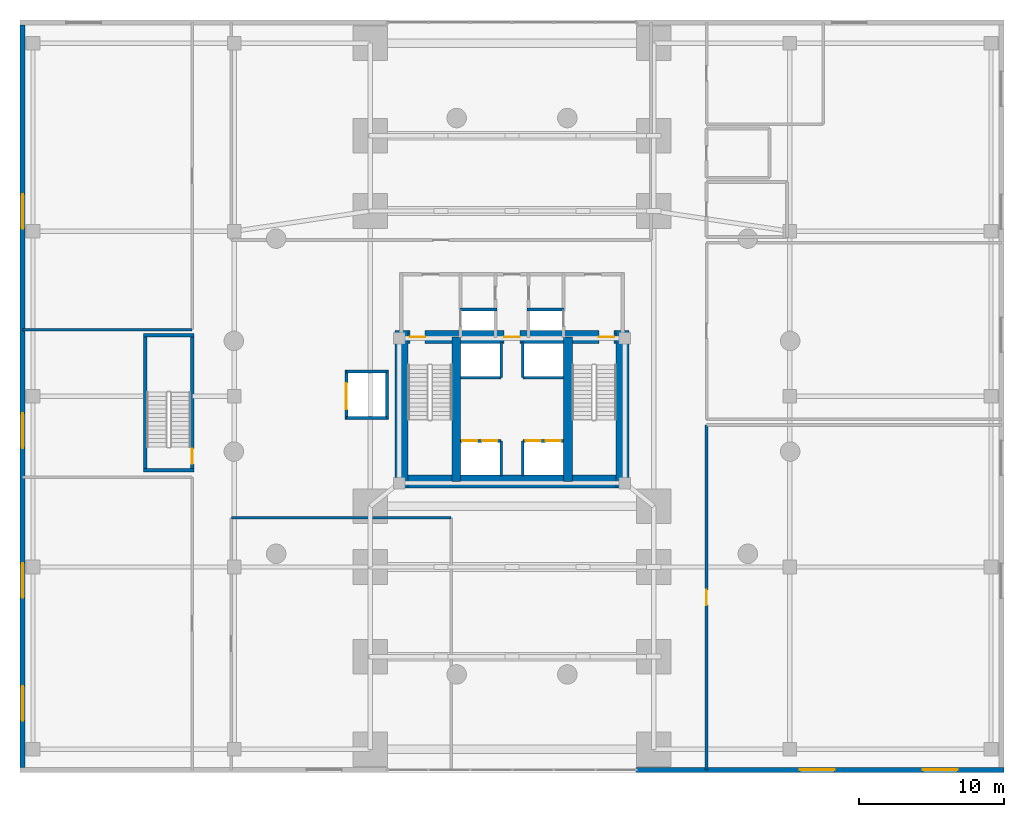
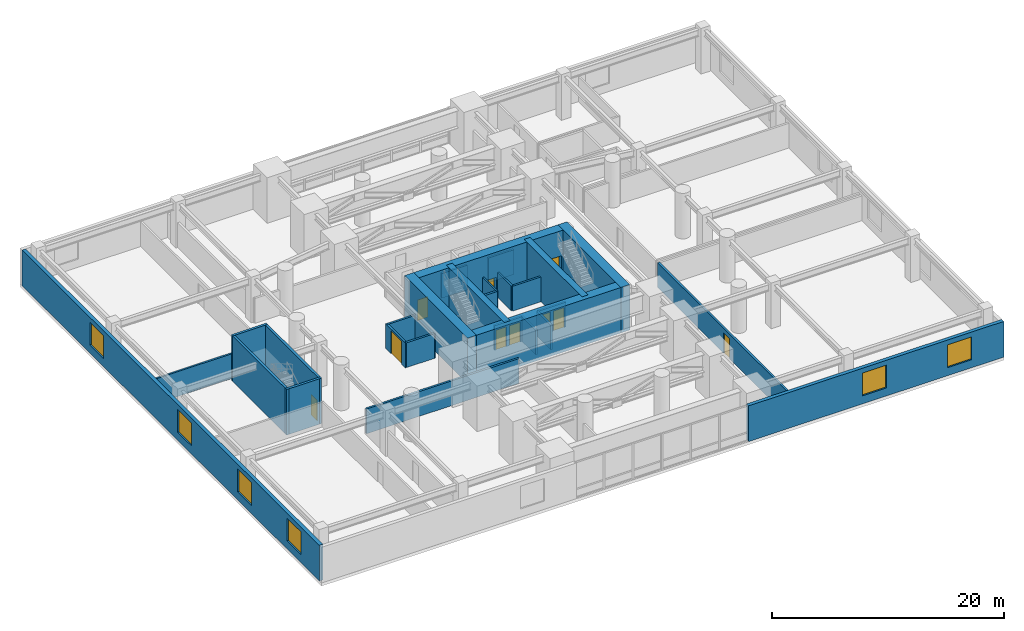
# One storey, part 14 of 17: 29 walls, 10 doors, 6 windows, 16 openings.
"""IFC4 building model written with IfcOpenShell, lengths in metres."""

from ifc_helpers import new_model, si_unit, direction, frame, frame_2d, origin, place, context, subcontext, project, spatial, rectangle, extrude, material, layer, layer_set, type_object, element, fill, save


model = new_model("IFC4")

# Units and contexts
model_context = context("Model", 3, precision=1e-05, world=origin(), true_north=direction((0.0, 1.0)))
body_context = subcontext(model_context, "Body", "Model", "MODEL_VIEW")
ifc_project = project(units=[si_unit("LENGTHUNIT", "METRE"), si_unit("AREAUNIT", "SQUARE_METRE"), si_unit("VOLUMEUNIT", "CUBIC_METRE"), si_unit("PLANEANGLEUNIT", "RADIAN"), si_unit("MASSUNIT", "GRAM", prefix="KILO"), si_unit("THERMODYNAMICTEMPERATUREUNIT", "KELVIN"), si_unit("POWERUNIT", "WATT")], contexts=[model_context])

# Site, building, storey
site_placement = place(None, origin())
site = spatial("IfcSite", under=ifc_project, at=site_placement, CompositionType="ELEMENT")
building_placement = place(site_placement, origin())
building = spatial("IfcBuilding", under=site, at=building_placement, Name="Ocrelia Relay Tower", CompositionType="ELEMENT")
storey_placement = place(building_placement, frame((0.0, 0.0, 15.60009765625)))
storey = spatial("IfcBuildingStorey", under=building, at=storey_placement, Name="L03", CompositionType="ELEMENT", Elevation=15.60009765625)

# Wall
ifc_material_1 = material(Name="Concrete C70/85", Category="concrete")
ifc_layer_1 = layer(ifc_material_1, 0.89990234375, Name="Concrete C70/85")
ifc_layer_set_1 = layer_set([ifc_layer_1], Name="Concrete C70/85")
wall_type_1 = type_object("IfcWallType", Name="CW-CORE-900", PredefinedType="SHEAR", material=ifc_layer_set_1)
wall_1_placement = place(storey_placement, frame((25.922119140625, 20.112060546875, 0.0), z_axis=(0.0, 0.0, 1.0), x_axis=(1.0, 0.0, 0.0)))
element("IfcWall", 1, at=wall_1_placement, inside=storey, type_object=wall_type_1, Name="L03 Core Shear Wall S", PredefinedType="SHEAR", context=body_context, shape_type="SweptSolid", body=[
    extrude(rectangle(XDim=16.165771484375, YDim=0.89990234375, at=frame_2d((8.0830078125, 0.0))), origin(), (0.0, 0.0, 1.0), 4.7998046875),
])

# Wall, openings, doors
wall_2_placement = place(storey_placement, frame((25.922119140625, 30.087890625, 0.0), z_axis=(0.0, 0.0, 1.0), x_axis=(1.0, 0.0, 0.0)))
wall_2 = element("IfcWall", 2, at=wall_2_placement, inside=storey, type_object=wall_type_1, Name="L03 Core Shear Wall N", PredefinedType="SHEAR", context=body_context, shape_type="SweptSolid", body=[
    extrude(rectangle(XDim=16.165771484375, YDim=0.89990234375, at=frame_2d((8.0830078125, 0.0))), origin(), (0.0, 0.0, 1.0), 4.7998046875),
])
opening_1_placement = place(wall_2_placement, frame((1.028076171875, 0.0, 0.0)))
opening_1 = element("IfcOpeningElement", 3, at=opening_1_placement, cuts=wall_2, Name="Opening D-FD90", PredefinedType="OPENING", context=body_context, shape_type="SweptSolid", body=[
    extrude(rectangle(XDim=1.050048828125, YDim=2.14990234375, at=frame_2d((0.52490234375, 1.074951171875))), frame((0.0, 0.4599609375, 0.0), z_axis=(0.0, -1.0, 0.0), x_axis=(1.0, 0.0, 0.0)), (0.0, 0.0, 1.0), 0.919921875),
])
opening_2_placement = place(wall_2_placement, frame((14.077880859375, 0.0, 0.0)))
opening_2 = element("IfcOpeningElement", 4, at=opening_2_placement, cuts=wall_2, Name="Opening D-FD90", PredefinedType="OPENING", context=body_context, shape_type="SweptSolid", body=[
    extrude(rectangle(XDim=1.050048828125, YDim=2.14990234375, at=frame_2d((0.52490234375, 1.074951171875))), frame((0.0, 0.4599609375, 0.0), z_axis=(0.0, -1.0, 0.0), x_axis=(1.0, 0.0, 0.0)), (0.0, 0.0, 1.0), 0.919921875),
])
opening_3_placement = place(wall_2_placement, frame((7.528076171875, 0.0, 0.0)))
opening_3 = element("IfcOpeningElement", 5, at=opening_3_placement, cuts=wall_2, Name="Opening D-FD60", PredefinedType="OPENING", context=body_context, shape_type="SweptSolid", body=[
    extrude(rectangle(XDim=1.10009765625, YDim=2.14990234375, at=frame_2d((0.550048828125, 1.074951171875))), frame((0.0, 0.4599609375, 0.0), z_axis=(0.0, -1.0, 0.0), x_axis=(1.0, 0.0, 0.0)), (0.0, 0.0, 1.0), 0.919921875),
])
ifc_material_2 = material(Name="Timber-core 60-min acoustic fire door", Category="wood")
door_type_1 = type_object("IfcDoorType", Name="DR-LOBBY-FD60-1100", OperationType="NOTDEFINED", PredefinedType="DOOR", material=ifc_material_2)
door_1_placement = place(opening_3_placement, origin())
door_1 = element("IfcDoor", 6, at=door_1_placement, inside=storey, type_object=door_type_1, Name="L03 Core Lift Lobby North Fire Door", OperationType="SINGLE_SWING_RIGHT", OverallHeight=2.14990234375, OverallWidth=1.10009765625, PredefinedType="DOOR", context=body_context, shape_type="SweptSolid", body=[
    extrude(rectangle(XDim=1.10009765625, YDim=2.14990234375, at=frame_2d((0.550048828125, 1.074951171875))), frame((0.0, 0.02490234375, 0.0), z_axis=(0.0, -1.0, 0.0), x_axis=(1.0, 0.0, 0.0)), (0.0, 0.0, 1.0), 0.050048828125),
])
fill(opening_3, door_1)
ifc_material_3 = material(Name="Steel S355 90-min fire door", Category="steel")
door_type_2 = type_object("IfcDoorType", Name="DR-STAIR-FD90-1050", OperationType="NOTDEFINED", PredefinedType="DOOR", material=ifc_material_3)
door_2_placement = place(opening_1_placement, origin())
door_2 = element("IfcDoor", 7, at=door_2_placement, inside=storey, type_object=door_type_2, Name="L03 Stair ST1 Fire Door", OperationType="SINGLE_SWING_RIGHT", OverallHeight=2.14990234375, OverallWidth=1.050048828125, PredefinedType="DOOR", context=body_context, shape_type="SweptSolid", body=[
    extrude(rectangle(XDim=1.050048828125, YDim=2.14990234375, at=frame_2d((0.52490234375, 1.074951171875))), frame((0.0, 0.02490234375, 0.0), z_axis=(0.0, -1.0, 0.0), x_axis=(1.0, 0.0, 0.0)), (0.0, 0.0, 1.0), 0.050048828125),
])
fill(opening_1, door_2)
door_3_placement = place(opening_2_placement, origin())
door_3 = element("IfcDoor", 8, at=door_3_placement, inside=storey, type_object=door_type_2, Name="L03 Stair ST2 Fire Door", OperationType="SINGLE_SWING_LEFT", OverallHeight=2.14990234375, OverallWidth=1.050048828125, PredefinedType="DOOR", context=body_context, shape_type="SweptSolid", body=[
    extrude(rectangle(XDim=1.050048828125, YDim=2.14990234375, at=frame_2d((0.52490234375, 1.074951171875))), frame((0.0, 0.02490234375, 0.0), z_axis=(0.0, -1.0, 0.0), x_axis=(1.0, 0.0, 0.0)), (0.0, 0.0, 1.0), 0.050048828125),
])
fill(opening_2, door_3)

# Walls
for number, where, z_axis, x_axis, name in (
    (9, (26.3720703125, 19.662109375, 0.0), (0.0, 0.0, 1.0), (0.0, 1.0, 0.0), "L03 Core Shear Wall W"),
    (10, (41.637939453125, 19.662109375, 0.0), (0.0, 0.0, 1.0), (0.0, 1.0, 0.0), "L03 Core Shear Wall E"),
):
    element("IfcWall", number, at=place(storey_placement, frame(where, z_axis=z_axis, x_axis=x_axis)), inside=storey, type_object=wall_type_1, Name=name, PredefinedType="SHEAR", context=body_context, shape_type="SweptSolid", body=[
        extrude(rectangle(XDim=10.8759765625, YDim=0.89990234375, at=frame_2d((5.43798828125, 0.0))), origin(), (0.0, 0.0, 1.0), 4.7998046875),
    ])
for number, where, z_axis, x_axis, name in (
    (11, (30.137939453125, 20.112060546875, 0.0), (0.0, 0.0, 1.0), (0.0, 1.0, 0.0), "L03 Core Shear Wall SPW"),
    (12, (37.8720703125, 20.112060546875, 0.0), (0.0, 0.0, 1.0), (0.0, 1.0, 0.0), "L03 Core Shear Wall SPE"),
):
    element("IfcWall", number, at=place(storey_placement, frame(where, z_axis=z_axis, x_axis=x_axis)), inside=storey, type_object=wall_type_1, Name=name, PredefinedType="SHEAR", context=body_context, shape_type="SweptSolid", body=[
        extrude(rectangle(XDim=9.975830078125, YDim=0.60009765625, at=frame_2d((4.98779296875, 0.0))), origin(), (0.0, 0.0, 1.0), 4.7998046875),
    ])
ifc_material_4 = material(Name="Concrete C50/60", Category="concrete")
ifc_layer_2 = layer(ifc_material_4, 0.239990234375, Name="Concrete C50/60")
ifc_layer_set_2 = layer_set([ifc_layer_2], Name="Concrete C50/60")
wall_type_2 = type_object("IfcWallType", Name="CW-STAIR-240", PredefinedType="SHEAR", material=ifc_layer_set_2)
for number, where, z_axis, x_axis, name in (
    (13, (8.531982421875, 20.89208984375, 0.0), (0.0, 0.0, 1.0), (1.0, 0.0, 0.0), "L03 Stair ST3 Structural Shaft S Wall"),
    (14, (8.531982421875, 30.2080078125, 0.0), (0.0, 0.0, 1.0), (1.0, 0.0, 0.0), "L03 Stair ST3 Structural Shaft N Wall"),
):
    element("IfcWall", number, at=place(storey_placement, frame(where, z_axis=z_axis, x_axis=x_axis)), inside=storey, type_object=wall_type_2, Name=name, PredefinedType="SHEAR", context=body_context, shape_type="SweptSolid", body=[
        extrude(rectangle(XDim=3.49609375, YDim=0.239990234375, at=frame_2d((1.748046875, 0.0))), origin(), (0.0, 0.0, 1.0), 4.7998046875),
    ])
wall_3_placement = place(storey_placement, frame((8.652099609375, 20.77197265625, 0.0), z_axis=(0.0, 0.0, 1.0), x_axis=(0.0, 1.0, 0.0)))
element("IfcWall", 15, at=wall_3_placement, inside=storey, type_object=wall_type_2, Name="L03 Stair ST3 Structural Shaft W Wall", PredefinedType="SHEAR", context=body_context, shape_type="SweptSolid", body=[
    extrude(rectangle(XDim=9.555908203125, YDim=0.239990234375, at=frame_2d((4.77783203125, 0.0))), origin(), (0.0, 0.0, 1.0), 4.7998046875),
])

# Wall, opening, door
wall_4_placement = place(storey_placement, frame((11.907958984375, 20.77197265625, 0.0), z_axis=(0.0, 0.0, 1.0), x_axis=(0.0, 1.0, 0.0)))
wall_4 = element("IfcWall", 16, at=wall_4_placement, inside=storey, type_object=wall_type_2, Name="L03 Stair ST3 Structural Shaft E Wall", PredefinedType="SHEAR", context=body_context, shape_type="SweptSolid", body=[
    extrude(rectangle(XDim=9.555908203125, YDim=0.239990234375, at=frame_2d((4.77783203125, 0.0))), origin(), (0.0, 0.0, 1.0), 4.7998046875),
])
opening_4_placement = place(wall_4_placement, frame((0.550048828125, 0.0, 0.0)))
opening_4 = element("IfcOpeningElement", 17, at=opening_4_placement, cuts=wall_4, Name="Opening D-FD90", PredefinedType="OPENING", context=body_context, shape_type="SweptSolid", body=[
    extrude(rectangle(XDim=1.050048828125, YDim=2.14990234375, at=frame_2d((0.52490234375, 1.074951171875))), frame((0.0, 0.1298828125, 0.0), z_axis=(0.0, -1.0, 0.0), x_axis=(1.0, 0.0, 0.0)), (0.0, 0.0, 1.0), 0.260009765625),
])
door_4_placement = place(opening_4_placement, origin())
door_4 = element("IfcDoor", 18, at=door_4_placement, inside=storey, type_object=door_type_2, Name="L03 Stair ST3 Fire Door", OperationType="SINGLE_SWING_RIGHT", OverallHeight=2.14990234375, OverallWidth=1.050048828125, PredefinedType="DOOR", context=body_context, shape_type="SweptSolid", body=[
    extrude(rectangle(XDim=1.050048828125, YDim=2.14990234375, at=frame_2d((0.52490234375, 1.074951171875))), frame((0.0, 0.02490234375, 0.0), z_axis=(0.0, -1.0, 0.0), x_axis=(1.0, 0.0, 0.0)), (0.0, 0.0, 1.0), 0.050048828125),
])
fill(opening_4, door_4)

# Wall
ifc_material_5 = material(Name="Gypsum Fireboard Partition EI60", Category="gypsum")
ifc_layer_3 = layer(ifc_material_5, 0.179931640625, Name="Gypsum Fireboard Partition EI60")
ifc_layer_set_3 = layer_set([ifc_layer_3], Name="Gypsum Fireboard Partition EI60")
wall_type_3 = type_object("IfcWallType", Name="W-CORR-EI60-180", PredefinedType="PARTITIONING", material=ifc_layer_set_3)
wall_5_placement = place(storey_placement, frame((0.179931640625, 30.60009765625, 0.0), z_axis=(0.0, 0.0, 1.0), x_axis=(1.0, 0.0, 0.0)))
element("IfcWall", 19, at=wall_5_placement, inside=storey, type_object=wall_type_3, Name="L03 Power Systems Engineering Office S Partition", PredefinedType="PARTITIONING", context=body_context, shape_type="SweptSolid", body=[
    extrude(rectangle(XDim=11.719970703125, YDim=0.179931640625, at=frame_2d((5.85986328125, 0.0))), origin(), (0.0, 0.0, 1.0), 2.60986328125),
])

# Wall, openings, windows
ifc_material_6 = material(Name="Precast concrete C40/50 with oxide terracotta", Category="masonry")
ifc_layer_4 = layer(ifc_material_6, 0.35009765625, Name="Precast concrete C40/50 with oxide terracotta")
ifc_layer_set_4 = layer_set([ifc_layer_4], Name="Precast concrete C40/50 with oxide terracotta")
wall_type_4 = type_object("IfcWallType", Name="W-EXT-POD-350", PredefinedType="SOLIDWALL", material=ifc_layer_set_4)
wall_6_placement = place(storey_placement, frame((0.179931640625, 0.360107421875, 0.0), z_axis=(0.0, 0.0, 1.0), x_axis=(0.0, 1.0, 0.0)))
wall_6 = element("IfcWall", 20, at=wall_6_placement, inside=storey, type_object=wall_type_4, Name="L03 Oxide Terracotta Podium Wall WW", PredefinedType="SOLIDWALL", context=body_context, shape_type="SweptSolid", body=[
    extrude(rectangle(XDim=51.27978515625, YDim=0.35009765625, at=frame_2d((25.639892578125, 0.0))), origin(), (0.0, 0.0, 1.0), 3.760009765625),
])
opening_5_placement = place(wall_6_placement, frame((3.199951171875, 0.0, 0.85009765625)))
opening_5 = element("IfcOpeningElement", 21, at=opening_5_placement, cuts=wall_6, Name="Opening W-01", PredefinedType="OPENING", context=body_context, shape_type="SweptSolid", body=[
    extrude(rectangle(XDim=2.39990234375, YDim=2.39990234375, at=frame_2d((1.199951171875, 1.199951171875))), frame((0.0, 0.18505859375, 0.0), z_axis=(0.0, -1.0, 0.0), x_axis=(1.0, 0.0, 0.0)), (0.0, 0.0, 1.0), 0.3701171875),
])
opening_6_placement = place(wall_6_placement, frame((11.699951171875, 0.0, 0.85009765625)))
opening_6 = element("IfcOpeningElement", 22, at=opening_6_placement, cuts=wall_6, Name="Opening W-01", PredefinedType="OPENING", context=body_context, shape_type="SweptSolid", body=[
    extrude(rectangle(XDim=2.39990234375, YDim=2.39990234375, at=frame_2d((1.199951171875, 1.199951171875))), frame((0.0, 0.18505859375, 0.0), z_axis=(0.0, -1.0, 0.0), x_axis=(1.0, 0.0, 0.0)), (0.0, 0.0, 1.0), 0.3701171875),
])
opening_7_placement = place(wall_6_placement, frame((22.050048828125, 0.0, 0.85009765625)))
opening_7 = element("IfcOpeningElement", 23, at=opening_7_placement, cuts=wall_6, Name="Opening W-01", PredefinedType="OPENING", context=body_context, shape_type="SweptSolid", body=[
    extrude(rectangle(XDim=2.39990234375, YDim=2.39990234375, at=frame_2d((1.199951171875, 1.199951171875))), frame((0.0, 0.18505859375, 0.0), z_axis=(0.0, -1.0, 0.0), x_axis=(1.0, 0.0, 0.0)), (0.0, 0.0, 1.0), 0.3701171875),
])
opening_8_placement = place(wall_6_placement, frame((37.199951171875, 0.0, 0.85009765625)))
opening_8 = element("IfcOpeningElement", 24, at=opening_8_placement, cuts=wall_6, Name="Opening W-01", PredefinedType="OPENING", context=body_context, shape_type="SweptSolid", body=[
    extrude(rectangle(XDim=2.39990234375, YDim=2.39990234375, at=frame_2d((1.199951171875, 1.199951171875))), frame((0.0, 0.18505859375, 0.0), z_axis=(0.0, -1.0, 0.0), x_axis=(1.0, 0.0, 0.0)), (0.0, 0.0, 1.0), 0.3701171875),
])
ifc_material_7 = material(Name="Clear double-glazed low-E glass", Category="glass")
window_type = type_object("IfcWindowType", Name="WIN-POD-2400x2600", PartitioningType="SINGLE_PANEL", PredefinedType="WINDOW", material=ifc_material_7)
window_1_placement = place(opening_5_placement, origin())
window_1 = element("IfcWindow", 25, at=window_1_placement, inside=storey, type_object=window_type, Name="L03 Podium Punched Window WW-1", OverallHeight=2.39990234375, OverallWidth=2.39990234375, PartitioningType="SINGLE_PANEL", PredefinedType="WINDOW", context=body_context, shape_type="SweptSolid", body=[
    extrude(rectangle(XDim=2.39990234375, YDim=2.39990234375, at=frame_2d((1.199951171875, 1.199951171875))), frame((0.0, 0.030029296875, 0.0), z_axis=(0.0, -1.0, 0.0), x_axis=(1.0, 0.0, 0.0)), (0.0, 0.0, 1.0), 0.06005859375),
])
fill(opening_5, window_1)
window_2_placement = place(opening_6_placement, origin())
window_2 = element("IfcWindow", 26, at=window_2_placement, inside=storey, type_object=window_type, Name="L03 Podium Punched Window WW-2", OverallHeight=2.39990234375, OverallWidth=2.39990234375, PartitioningType="SINGLE_PANEL", PredefinedType="WINDOW", context=body_context, shape_type="SweptSolid", body=[
    extrude(rectangle(XDim=2.39990234375, YDim=2.39990234375, at=frame_2d((1.199951171875, 1.199951171875))), frame((0.0, 0.030029296875, 0.0), z_axis=(0.0, -1.0, 0.0), x_axis=(1.0, 0.0, 0.0)), (0.0, 0.0, 1.0), 0.06005859375),
])
fill(opening_6, window_2)
window_3_placement = place(opening_7_placement, origin())
window_3 = element("IfcWindow", 27, at=window_3_placement, inside=storey, type_object=window_type, Name="L03 Podium Punched Window WW-3", OverallHeight=2.39990234375, OverallWidth=2.39990234375, PartitioningType="SINGLE_PANEL", PredefinedType="WINDOW", context=body_context, shape_type="SweptSolid", body=[
    extrude(rectangle(XDim=2.39990234375, YDim=2.39990234375, at=frame_2d((1.199951171875, 1.199951171875))), frame((0.0, 0.030029296875, 0.0), z_axis=(0.0, -1.0, 0.0), x_axis=(1.0, 0.0, 0.0)), (0.0, 0.0, 1.0), 0.06005859375),
])
fill(opening_7, window_3)
window_4_placement = place(opening_8_placement, origin())
window_4 = element("IfcWindow", 28, at=window_4_placement, inside=storey, type_object=window_type, Name="L03 Podium Punched Window WW-5", OverallHeight=2.39990234375, OverallWidth=2.39990234375, PartitioningType="SINGLE_PANEL", PredefinedType="WINDOW", context=body_context, shape_type="SweptSolid", body=[
    extrude(rectangle(XDim=2.39990234375, YDim=2.39990234375, at=frame_2d((1.199951171875, 1.199951171875))), frame((0.0, 0.030029296875, 0.0), z_axis=(0.0, -1.0, 0.0), x_axis=(1.0, 0.0, 0.0)), (0.0, 0.0, 1.0), 0.06005859375),
])
fill(opening_8, window_4)

wall_7_placement = place(storey_placement, frame((67.989990234375, 0.179931640625, 0.0), z_axis=(0.0, 0.0, 1.0), x_axis=(-1.0, 0.0, 0.0)))
wall_7 = element("IfcWall", 29, at=wall_7_placement, inside=storey, type_object=wall_type_4, Name="L03 Oxide Terracotta Podium Wall ES", PredefinedType="SOLIDWALL", context=body_context, shape_type="SweptSolid", body=[
    extrude(rectangle(XDim=25.419921875, YDim=0.35009765625, at=frame_2d((12.7099609375, 0.0))), origin(), (0.0, 0.0, 1.0), 3.760009765625),
])
opening_9_placement = place(wall_7_placement, frame((3.199951171875, 0.0, 0.85009765625)))
opening_9 = element("IfcOpeningElement", 30, at=opening_9_placement, cuts=wall_7, Name="Opening W-01", PredefinedType="OPENING", context=body_context, shape_type="SweptSolid", body=[
    extrude(rectangle(XDim=2.39990234375, YDim=2.39990234375, at=frame_2d((1.199951171875, 1.199951171875))), frame((0.0, 0.18505859375, 0.0), z_axis=(0.0, -1.0, 0.0), x_axis=(1.0, 0.0, 0.0)), (0.0, 0.0, 1.0), 0.3701171875),
])
opening_10_placement = place(wall_7_placement, frame((11.699951171875, 0.0, 0.85009765625)))
opening_10 = element("IfcOpeningElement", 31, at=opening_10_placement, cuts=wall_7, Name="Opening W-01", PredefinedType="OPENING", context=body_context, shape_type="SweptSolid", body=[
    extrude(rectangle(XDim=2.39990234375, YDim=2.39990234375, at=frame_2d((1.199951171875, 1.199951171875))), frame((0.0, 0.18505859375, 0.0), z_axis=(0.0, -1.0, 0.0), x_axis=(1.0, 0.0, 0.0)), (0.0, 0.0, 1.0), 0.3701171875),
])
window_5_placement = place(opening_9_placement, origin())
window_5 = element("IfcWindow", 32, at=window_5_placement, inside=storey, type_object=window_type, Name="L03 Podium Punched Window ES-1", OverallHeight=2.39990234375, OverallWidth=2.39990234375, PartitioningType="SINGLE_PANEL", PredefinedType="WINDOW", context=body_context, shape_type="SweptSolid", body=[
    extrude(rectangle(XDim=2.39990234375, YDim=2.39990234375, at=frame_2d((1.199951171875, 1.199951171875))), frame((0.0, 0.030029296875, 0.0), z_axis=(0.0, -1.0, 0.0), x_axis=(1.0, 0.0, 0.0)), (0.0, 0.0, 1.0), 0.06005859375),
])
fill(opening_9, window_5)
window_6_placement = place(opening_10_placement, origin())
window_6 = element("IfcWindow", 33, at=window_6_placement, inside=storey, type_object=window_type, Name="L03 Podium Punched Window ES-2", OverallHeight=2.39990234375, OverallWidth=2.39990234375, PartitioningType="SINGLE_PANEL", PredefinedType="WINDOW", context=body_context, shape_type="SweptSolid", body=[
    extrude(rectangle(XDim=2.39990234375, YDim=2.39990234375, at=frame_2d((1.199951171875, 1.199951171875))), frame((0.0, 0.030029296875, 0.0), z_axis=(0.0, -1.0, 0.0), x_axis=(1.0, 0.0, 0.0)), (0.0, 0.0, 1.0), 0.06005859375),
])
fill(opening_10, window_6)

# Walls
ifc_layer_5 = layer(ifc_material_4, 0.199951171875, Name="Concrete C50/60")
ifc_layer_set_5 = layer_set([ifc_layer_5], Name="Concrete C50/60")
wall_type_5 = type_object("IfcWallType", Name="W-SHAFT-EI120-200", PredefinedType="SOLIDWALL", material=ifc_layer_set_5)
for number, where, z_axis, x_axis, name in (
    (34, (30.39990234375, 32.0, 0.0), (0.0, 0.0, 1.0), (1.0, 0.0, 0.0), "L03 FFL1 Hoistway North Wall"),
    (35, (35.050048828125, 32.0, 0.0), (0.0, 0.0, 1.0), (1.0, 0.0, 0.0), "L03 FFL2 Hoistway North Wall"),
):
    element("IfcWall", number, at=place(storey_placement, frame(where, z_axis=z_axis, x_axis=x_axis)), inside=storey, type_object=wall_type_5, Name=name, PredefinedType="SOLIDWALL", context=body_context, shape_type="SweptSolid", body=[
        extrude(rectangle(XDim=2.550048828125, YDim=0.199951171875, at=frame_2d((1.27490234375, 0.0))), origin(), (0.0, 0.0, 1.0), 2.60986328125),
    ])

# Wall, openings, doors
wall_8_placement = place(storey_placement, frame((30.43994140625, 22.919921875, 0.0), z_axis=(0.0, 0.0, 1.0), x_axis=(1.0, 0.0, 0.0)))
wall_8 = element("IfcWall", 36, at=wall_8_placement, inside=storey, type_object=wall_type_5, Name="L03 Low-Rise Lift Hoistway Wall W", PredefinedType="SOLIDWALL", context=body_context, shape_type="SweptSolid", body=[
    extrude(rectangle(XDim=2.81005859375, YDim=0.199951171875, at=frame_2d((1.405029296875, 0.0))), origin(), (0.0, 0.0, 1.0), 2.60986328125),
])
opening_11_placement = place(wall_8_placement, frame((0.1201171875, 0.0, 0.0)))
opening_11 = element("IfcOpeningElement", 37, at=opening_11_placement, cuts=wall_8, Name="Opening LD-PL1", PredefinedType="OPENING", context=body_context, shape_type="SweptSolid", body=[
    extrude(rectangle(XDim=1.050048828125, YDim=2.10009765625, at=frame_2d((0.52490234375, 1.050048828125))), frame((0.0, 0.10986328125, 0.0), z_axis=(0.0, -1.0, 0.0), x_axis=(1.0, 0.0, 0.0)), (0.0, 0.0, 1.0), 0.219970703125),
])
opening_12_placement = place(wall_8_placement, frame((1.5, 0.0, 0.0)))
opening_12 = element("IfcOpeningElement", 38, at=opening_12_placement, cuts=wall_8, Name="Opening LD-PL2", PredefinedType="OPENING", context=body_context, shape_type="SweptSolid", body=[
    extrude(rectangle(XDim=1.050048828125, YDim=2.10009765625, at=frame_2d((0.52490234375, 1.050048828125))), frame((0.0, 0.10986328125, 0.0), z_axis=(0.0, -1.0, 0.0), x_axis=(1.0, 0.0, 0.0)), (0.0, 0.0, 1.0), 0.219970703125),
])
ifc_material_8 = material(Name="Brushed stainless steel S355 lift landing door", Category="steel")
door_type_3 = type_object("IfcDoorType", Name="DR-LIFT-LAND-1050", OperationType="DOUBLE_DOOR_SLIDING", PredefinedType="USERDEFINED", material=ifc_material_8)
door_5_placement = place(opening_11_placement, origin())
door_5 = element("IfcDoor", 39, at=door_5_placement, inside=storey, type_object=door_type_3, Name="L03 Passenger Lift PL1 Sliding Landing Door", ObjectType="LANDING DOOR", OperationType="DOUBLE_DOOR_SLIDING", OverallHeight=2.10009765625, OverallWidth=1.050048828125, PredefinedType="USERDEFINED", context=body_context, shape_type="SweptSolid", body=[
    extrude(rectangle(XDim=1.050048828125, YDim=2.10009765625, at=frame_2d((0.52490234375, 1.050048828125))), frame((0.0, 0.02490234375, 0.0), z_axis=(0.0, -1.0, 0.0), x_axis=(1.0, 0.0, 0.0)), (0.0, 0.0, 1.0), 0.050048828125),
])
fill(opening_11, door_5)
door_6_placement = place(opening_12_placement, origin())
door_6 = element("IfcDoor", 40, at=door_6_placement, inside=storey, type_object=door_type_3, Name="L03 Passenger Lift PL2 Sliding Landing Door", ObjectType="LANDING DOOR", OperationType="DOUBLE_DOOR_SLIDING", OverallHeight=2.10009765625, OverallWidth=1.050048828125, PredefinedType="USERDEFINED", context=body_context, shape_type="SweptSolid", body=[
    extrude(rectangle(XDim=1.050048828125, YDim=2.10009765625, at=frame_2d((0.52490234375, 1.050048828125))), frame((0.0, 0.02490234375, 0.0), z_axis=(0.0, -1.0, 0.0), x_axis=(1.0, 0.0, 0.0)), (0.0, 0.0, 1.0), 0.050048828125),
])
fill(opening_12, door_6)

# Wall
wall_9_placement = place(storey_placement, frame((33.25, 20.5, 0.0), z_axis=(0.0, 0.0, 1.0), x_axis=(0.0, 1.0, 0.0)))
element("IfcWall", 41, at=wall_9_placement, inside=storey, type_object=wall_type_5, Name="L03 Low-Rise Lift Throat Wall W", PredefinedType="SOLIDWALL", context=body_context, shape_type="SweptSolid", body=[
    extrude(rectangle(XDim=2.419921875, YDim=0.179931640625, at=frame_2d((1.2099609375, 0.0))), origin(), (0.0, 0.0, 1.0), 2.60986328125),
])

# Wall, openings, doors
wall_10_placement = place(storey_placement, frame((34.75, 22.919921875, 0.0), z_axis=(0.0, 0.0, 1.0), x_axis=(1.0, 0.0, 0.0)))
wall_10 = element("IfcWall", 42, at=wall_10_placement, inside=storey, type_object=wall_type_5, Name="L03 Low-Rise Lift Hoistway Wall E", PredefinedType="SOLIDWALL", context=body_context, shape_type="SweptSolid", body=[
    extrude(rectangle(XDim=2.81005859375, YDim=0.199951171875, at=frame_2d((1.405029296875, 0.0))), origin(), (0.0, 0.0, 1.0), 2.60986328125),
])
opening_13_placement = place(wall_10_placement, frame((0.18994140625, 0.0, 0.0)))
opening_13 = element("IfcOpeningElement", 43, at=opening_13_placement, cuts=wall_10, Name="Opening LD-PL3", PredefinedType="OPENING", context=body_context, shape_type="SweptSolid", body=[
    extrude(rectangle(XDim=1.050048828125, YDim=2.10009765625, at=frame_2d((0.52490234375, 1.050048828125))), frame((0.0, 0.10986328125, 0.0), z_axis=(0.0, -1.0, 0.0), x_axis=(1.0, 0.0, 0.0)), (0.0, 0.0, 1.0), 0.219970703125),
])
opening_14_placement = place(wall_10_placement, frame((1.570068359375, 0.0, 0.0)))
opening_14 = element("IfcOpeningElement", 44, at=opening_14_placement, cuts=wall_10, Name="Opening LD-PL4", PredefinedType="OPENING", context=body_context, shape_type="SweptSolid", body=[
    extrude(rectangle(XDim=1.050048828125, YDim=2.10009765625, at=frame_2d((0.52490234375, 1.050048828125))), frame((0.0, 0.10986328125, 0.0), z_axis=(0.0, -1.0, 0.0), x_axis=(1.0, 0.0, 0.0)), (0.0, 0.0, 1.0), 0.219970703125),
])
door_7_placement = place(opening_13_placement, origin())
door_7 = element("IfcDoor", 45, at=door_7_placement, inside=storey, type_object=door_type_3, Name="L03 Passenger Lift PL3 Sliding Landing Door", ObjectType="LANDING DOOR", OperationType="DOUBLE_DOOR_SLIDING", OverallHeight=2.10009765625, OverallWidth=1.050048828125, PredefinedType="USERDEFINED", context=body_context, shape_type="SweptSolid", body=[
    extrude(rectangle(XDim=1.050048828125, YDim=2.10009765625, at=frame_2d((0.52490234375, 1.050048828125))), frame((0.0, 0.02490234375, 0.0), z_axis=(0.0, -1.0, 0.0), x_axis=(1.0, 0.0, 0.0)), (0.0, 0.0, 1.0), 0.050048828125),
])
fill(opening_13, door_7)
door_8_placement = place(opening_14_placement, origin())
door_8 = element("IfcDoor", 46, at=door_8_placement, inside=storey, type_object=door_type_3, Name="L03 Passenger Lift PL4 Sliding Landing Door", ObjectType="LANDING DOOR", OperationType="DOUBLE_DOOR_SLIDING", OverallHeight=2.10009765625, OverallWidth=1.050048828125, PredefinedType="USERDEFINED", context=body_context, shape_type="SweptSolid", body=[
    extrude(rectangle(XDim=1.050048828125, YDim=2.10009765625, at=frame_2d((0.52490234375, 1.050048828125))), frame((0.0, 0.02490234375, 0.0), z_axis=(0.0, -1.0, 0.0), x_axis=(1.0, 0.0, 0.0)), (0.0, 0.0, 1.0), 0.050048828125),
])
fill(opening_14, door_8)

# Walls
wall_11_placement = place(storey_placement, frame((34.75, 20.5, 0.0), z_axis=(0.0, 0.0, 1.0), x_axis=(0.0, 1.0, 0.0)))
element("IfcWall", 47, at=wall_11_placement, inside=storey, type_object=wall_type_5, Name="L03 Low-Rise Lift Throat Wall E", PredefinedType="SOLIDWALL", context=body_context, shape_type="SweptSolid", body=[
    extrude(rectangle(XDim=2.419921875, YDim=0.179931640625, at=frame_2d((1.2099609375, 0.0))), origin(), (0.0, 0.0, 1.0), 2.60986328125),
])
wall_12_placement = place(storey_placement, frame((30.43994140625, 27.280029296875, 0.0), z_axis=(0.0, 0.0, 1.0), x_axis=(1.0, 0.0, 0.0)))
element("IfcWall", 48, at=wall_12_placement, inside=storey, type_object=wall_type_5, Name="L03 High-Rise Lift Hoistway Wall W", PredefinedType="SOLIDWALL", context=body_context, shape_type="SweptSolid", body=[
    extrude(rectangle(XDim=2.81005859375, YDim=0.199951171875, at=frame_2d((1.405029296875, 0.0))), origin(), (0.0, 0.0, 1.0), 2.60986328125),
])
wall_13_placement = place(storey_placement, frame((33.25, 27.280029296875, 0.0), z_axis=(0.0, 0.0, 1.0), x_axis=(0.0, 1.0, 0.0)))
element("IfcWall", 49, at=wall_13_placement, inside=storey, type_object=wall_type_5, Name="L03 High-Rise Lift Throat Wall W", PredefinedType="SOLIDWALL", context=body_context, shape_type="SweptSolid", body=[
    extrude(rectangle(XDim=2.469970703125, YDim=0.179931640625, at=frame_2d((1.23486328125, 0.0))), origin(), (0.0, 0.0, 1.0), 2.60986328125),
])
wall_14_placement = place(storey_placement, frame((34.75, 27.280029296875, 0.0), z_axis=(0.0, 0.0, 1.0), x_axis=(1.0, 0.0, 0.0)))
element("IfcWall", 50, at=wall_14_placement, inside=storey, type_object=wall_type_5, Name="L03 High-Rise Lift Hoistway Wall E", PredefinedType="SOLIDWALL", context=body_context, shape_type="SweptSolid", body=[
    extrude(rectangle(XDim=2.81005859375, YDim=0.199951171875, at=frame_2d((1.405029296875, 0.0))), origin(), (0.0, 0.0, 1.0), 2.60986328125),
])
wall_15_placement = place(storey_placement, frame((34.75, 27.280029296875, 0.0), z_axis=(0.0, 0.0, 1.0), x_axis=(0.0, 1.0, 0.0)))
element("IfcWall", 51, at=wall_15_placement, inside=storey, type_object=wall_type_5, Name="L03 High-Rise Lift Throat Wall E", PredefinedType="SOLIDWALL", context=body_context, shape_type="SweptSolid", body=[
    extrude(rectangle(XDim=2.469970703125, YDim=0.179931640625, at=frame_2d((1.23486328125, 0.0))), origin(), (0.0, 0.0, 1.0), 2.60986328125),
])

# Wall, opening, door
wall_16_placement = place(storey_placement, frame((22.550048828125, 24.39990234375, 0.0), z_axis=(0.0, 0.0, 1.0), x_axis=(0.0, 1.0, 0.0)))
wall_16 = element("IfcWall", 52, at=wall_16_placement, inside=storey, type_object=wall_type_5, Name="L03 Goods Lift Shaft West Wall", PredefinedType="SOLIDWALL", context=body_context, shape_type="SweptSolid", body=[
    extrude(rectangle(XDim=3.400146484375, YDim=0.199951171875, at=frame_2d((1.7001953125, 0.0))), origin(), (0.0, 0.0, 1.0), 2.60986328125),
])
opening_15_placement = place(wall_16_placement, frame((0.699951171875, 0.0, 0.0)))
opening_15 = element("IfcOpeningElement", 53, at=opening_15_placement, cuts=wall_16, Name="Opening LD-GL1", PredefinedType="OPENING", context=body_context, shape_type="SweptSolid", body=[
    extrude(rectangle(XDim=1.800048828125, YDim=2.39990234375, at=frame_2d((0.89990234375, 1.199951171875))), frame((0.0, 0.10986328125, 0.0), z_axis=(0.0, -1.0, 0.0), x_axis=(1.0, 0.0, 0.0)), (0.0, 0.0, 1.0), 0.219970703125),
])
ifc_material_9 = material(Name="Heavy-duty stainless steel S355 goods landing door", Category="steel")
door_type_4 = type_object("IfcDoorType", Name="DR-GOODS-LAND-1800", OperationType="DOUBLE_DOOR_SLIDING", PredefinedType="USERDEFINED", material=ifc_material_9)
door_9_placement = place(opening_15_placement, origin())
door_9 = element("IfcDoor", 54, at=door_9_placement, inside=storey, type_object=door_type_4, Name="L03 Goods Lift GL1 Sliding Landing Door", ObjectType="LANDING DOOR", OperationType="DOUBLE_DOOR_SLIDING", OverallHeight=2.39990234375, OverallWidth=1.800048828125, PredefinedType="USERDEFINED", context=body_context, shape_type="SweptSolid", body=[
    extrude(rectangle(XDim=1.800048828125, YDim=2.39990234375, at=frame_2d((0.89990234375, 1.199951171875))), frame((0.0, 0.02490234375, 0.0), z_axis=(0.0, -1.0, 0.0), x_axis=(1.0, 0.0, 0.0)), (0.0, 0.0, 1.0), 0.050048828125),
])
fill(opening_15, door_9)

# Walls
wall_17_placement = place(storey_placement, frame((25.35009765625, 24.39990234375, 0.0), z_axis=(0.0, 0.0, 1.0), x_axis=(0.0, 1.0, 0.0)))
element("IfcWall", 55, at=wall_17_placement, inside=storey, type_object=wall_type_5, Name="L03 Goods Lift Shaft E Wall", PredefinedType="SOLIDWALL", context=body_context, shape_type="SweptSolid", body=[
    extrude(rectangle(XDim=3.400146484375, YDim=0.199951171875, at=frame_2d((1.7001953125, 0.0))), origin(), (0.0, 0.0, 1.0), 2.60986328125),
])
for number, where, z_axis, x_axis, name in (
    (56, (22.550048828125, 24.5, 0.0), (0.0, 0.0, 1.0), (1.0, 0.0, 0.0), "L03 Goods Lift Shaft S Wall"),
    (57, (22.550048828125, 27.699951171875, 0.0), (0.0, 0.0, 1.0), (1.0, 0.0, 0.0), "L03 Goods Lift Shaft N Wall"),
):
    element("IfcWall", number, at=place(storey_placement, frame(where, z_axis=z_axis, x_axis=x_axis)), inside=storey, type_object=wall_type_5, Name=name, PredefinedType="SOLIDWALL", context=body_context, shape_type="SweptSolid", body=[
        extrude(rectangle(XDim=2.800048828125, YDim=0.199951171875, at=frame_2d((1.39990234375, 0.0))), origin(), (0.0, 0.0, 1.0), 2.60986328125),
    ])
wall_18_placement = place(storey_placement, frame((29.800048828125, 17.60009765625, 0.0), z_axis=(0.0, 0.0, 1.0), x_axis=(-1.0, 0.0, 0.0)))
element("IfcWall", 58, at=wall_18_placement, inside=storey, type_object=wall_type_5, Name="L03 Transfer Truss Air Handling Plant Room N Partition", PredefinedType="SOLIDWALL", context=body_context, shape_type="SweptSolid", body=[
    extrude(rectangle(XDim=15.199951171875, YDim=0.199951171875, at=frame_2d((7.60009765625, 0.0))), origin(), (0.0, 0.0, 1.0), 2.60986328125),
])

# Wall, opening, door
wall_19_placement = place(storey_placement, frame((47.449951171875, 24.0, 0.0), z_axis=(0.0, 0.0, 1.0), x_axis=(0.0, -1.0, 0.0)))
wall_19 = element("IfcWall", 59, at=wall_19_placement, inside=storey, type_object=wall_type_5, Name="L03 Switchgear Plant Room East W Partition", PredefinedType="SOLIDWALL", context=body_context, shape_type="SweptSolid", body=[
    extrude(rectangle(XDim=23.820068359375, YDim=0.199951171875, at=frame_2d((11.91015625, 0.0))), origin(), (0.0, 0.0, 1.0), 2.60986328125),
])
opening_16_placement = place(wall_19_placement, frame((11.385009765625, 0.0, 0.0)))
opening_16 = element("IfcOpeningElement", 60, at=opening_16_placement, cuts=wall_19, Name="Opening D-FD90", PredefinedType="OPENING", context=body_context, shape_type="SweptSolid", body=[
    extrude(rectangle(XDim=1.050048828125, YDim=2.14990234375, at=frame_2d((0.52490234375, 1.074951171875))), frame((0.0, 0.10986328125, 0.0), z_axis=(0.0, -1.0, 0.0), x_axis=(1.0, 0.0, 0.0)), (0.0, 0.0, 1.0), 0.219970703125),
])
door_10_placement = place(opening_16_placement, origin())
door_10 = element("IfcDoor", 61, at=door_10_placement, inside=storey, type_object=door_type_2, Name="L03 Switchgear Plant Room East Door", OperationType="SINGLE_SWING_LEFT", OverallHeight=2.14990234375, OverallWidth=1.050048828125, PredefinedType="DOOR", context=body_context, shape_type="SweptSolid", body=[
    extrude(rectangle(XDim=1.050048828125, YDim=2.14990234375, at=frame_2d((0.52490234375, 1.074951171875))), frame((0.0, 0.02490234375, 0.0), z_axis=(0.0, -1.0, 0.0), x_axis=(1.0, 0.0, 0.0)), (0.0, 0.0, 1.0), 0.050048828125),
])
fill(opening_16, door_10)

save(model, "model.ifc")
